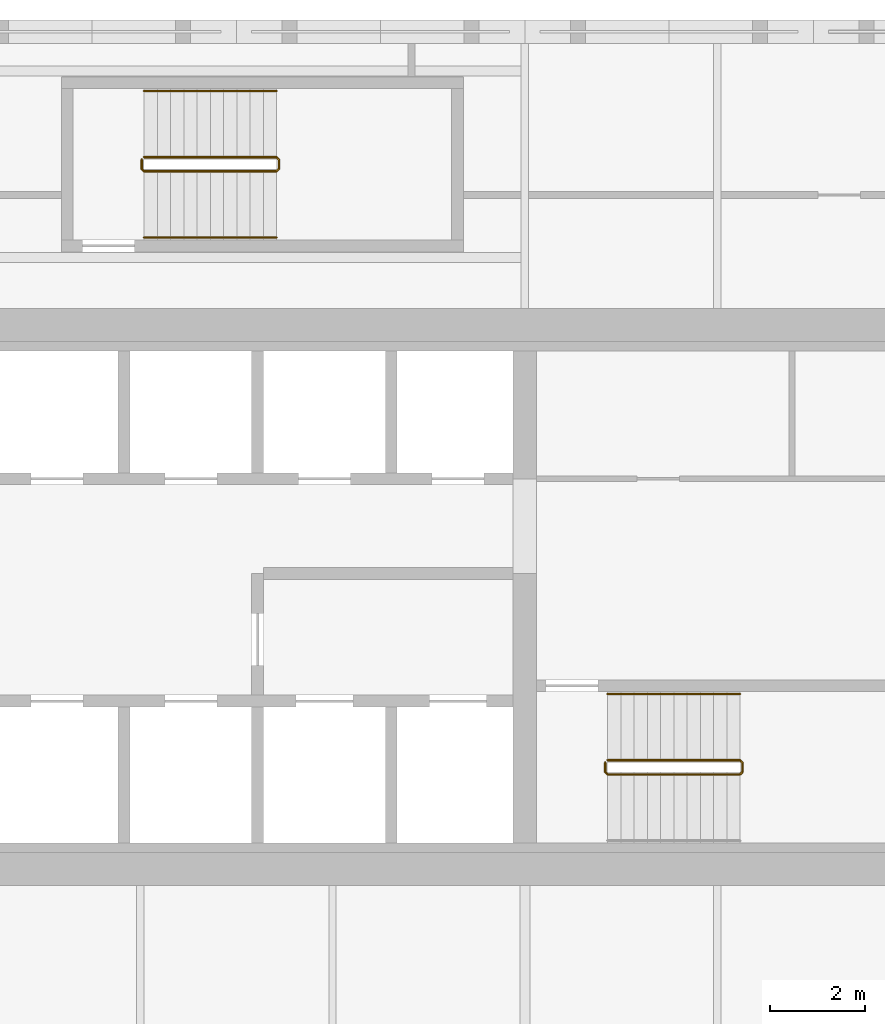
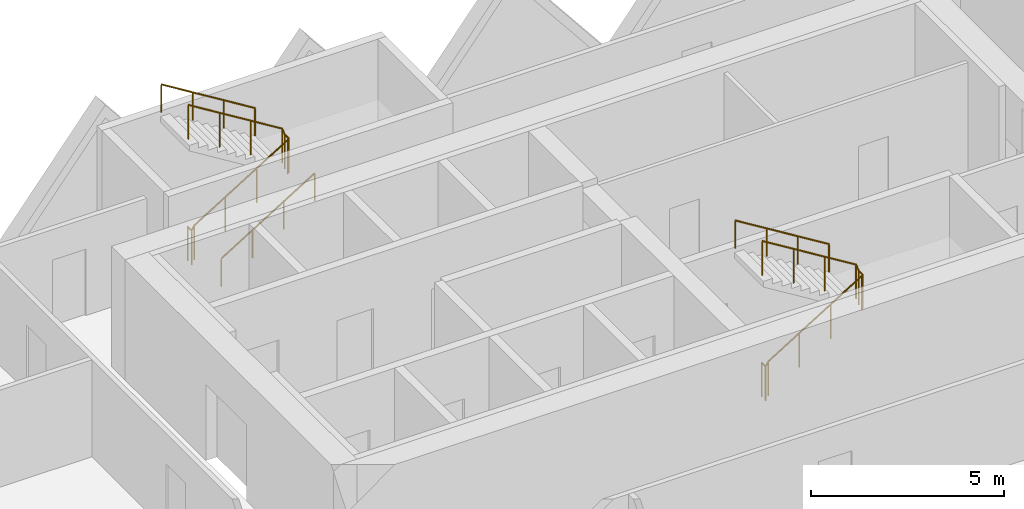
# One storey, part 18 of 18: 5 railings.
"""IFC4 building model written with IfcOpenShell, lengths in metres."""

from ifc_helpers import new_model, si_unit, direction, frame, origin, origin_2d, place, context, subcontext, project, spatial, circle, extrude, material, type_object, element, save


model = new_model("IFC4")

# Units and contexts
model_context = context("Model", 3, precision=1e-05, world=origin(), true_north=direction((0.0, 1.0)))
body_context = subcontext(model_context, "Body", "Model", "MODEL_VIEW")
ifc_project = project(units=[si_unit("LENGTHUNIT", "METRE"), si_unit("AREAUNIT", "SQUARE_METRE"), si_unit("VOLUMEUNIT", "CUBIC_METRE"), si_unit("PLANEANGLEUNIT", "RADIAN"), si_unit("MASSUNIT", "GRAM", prefix="KILO")], contexts=[model_context])

# Site, building, storey
site_placement = place(None, origin())
site = spatial("IfcSite", under=ifc_project, at=site_placement, CompositionType="ELEMENT")
building_placement = place(site_placement, origin())
building = spatial("IfcBuilding", under=site, at=building_placement, Name="Tessera Gate Towers", CompositionType="ELEMENT")
storey_placement = place(building_placement, frame((0.0, 0.0, 44.800048828125)))
storey = spatial("IfcBuildingStorey", under=building, at=storey_placement, Name="L10", CompositionType="ELEMENT", Elevation=44.800048828125)

# Railings
ifc_material_1 = material(Name="Steel 350W", Category="steel")
railing_type_1 = type_object("IfcRailingType", Name="STAIR GUARD 1100", PredefinedType="GUARDRAIL", material=ifc_material_1)
railing_1_placement = place(storey_placement, frame((111.5, 39.199951171875, 0.0)))
element("IfcRailing", 1, at=railing_1_placement, inside=storey, type_object=railing_type_1, Name="L10 ST6 stair guard 1", PredefinedType="GUARDRAIL", context=body_context, shape_type="SweptSolid", body=[
    extrude(circle(Radius=0.02392578125, at=origin_2d()), frame((0.0, 0.0, 1.076171875), z_axis=(0.0, -1.0, 0.0), x_axis=(1.0, 0.0, 0.0)), (0.0, 0.0, 1.0), 0.199951171875),
    extrude(circle(Radius=0.02392578125, at=origin_2d()), frame((0.0, -0.199951171875, 1.076171875), z_axis=(0.268277960024, -0.268277960024, 0.925231793839), x_axis=(0.707106781187, 0.707106781187, 0.0)), (0.0, 0.0, 1.0), 0.1865234375),
    extrude(circle(Radius=0.02392578125, at=origin_2d()), frame((0.050048828125, -0.25, 1.24853515625), z_axis=(0.851089632645, 0.0, 0.525020415988), x_axis=(0.0, 1.0, 0.0)), (0.0, 0.0, 1.0), 3.2900390625),
    extrude(circle(Radius=0.02392578125, at=origin_2d()), frame((2.85009765625, -0.25, 2.97607421875), z_axis=(0.705375805398, 0.708833529934, 0.0), x_axis=(-0.708833529934, 0.705375805398, 0.0)), (0.0, 0.0, 1.0), 0.070556640625),
    extrude(circle(Radius=0.02392578125, at=origin_2d()), frame((2.89990234375, -0.199951171875, 2.97607421875), z_axis=(0.0, 1.0, 0.0), x_axis=(-1.0, 0.0, 0.0)), (0.0, 0.0, 1.0), 0.199951171875),
    extrude(circle(Radius=0.02392578125, at=origin_2d()), frame((2.89990234375, 0.0, 2.97607421875), z_axis=(-0.266739603011, 0.268047150085, 0.925743328097), x_axis=(-0.708833529934, -0.705375805398, 0.0)), (0.0, 0.0, 1.0), 0.186767578125),
    extrude(circle(Radius=0.02392578125, at=origin_2d()), frame((2.85009765625, 0.050048828125, 3.14892578125), z_axis=(-0.851089632645, 0.0, 0.525020415988), x_axis=(0.0, -1.0, 0.0)), (0.0, 0.0, 1.0), 3.2900390625),
    extrude(circle(Radius=0.02099609375, at=origin_2d()), origin(), (0.0, 0.0, 1.0), 1.052001953125),
    extrude(circle(Radius=0.02099609375, at=origin_2d()), frame((0.0, -0.199951171875, 0.0)), (0.0, 0.0, 1.0), 1.052001953125),
    extrude(circle(Radius=0.02099609375, at=origin_2d()), frame((0.050048828125, -0.25, 0.172607421875)), (0.0, 0.0, 1.0), 1.052001953125),
    extrude(circle(Radius=0.02099609375, at=origin_2d()), frame((0.9833984375, -0.25, 0.748291015625)), (0.0, 0.0, 1.0), 1.052001953125),
    extrude(circle(Radius=0.02099609375, at=origin_2d()), frame((1.916748046875, -0.25, 1.32421875)), (0.0, 0.0, 1.0), 1.052001953125),
    extrude(circle(Radius=0.02099609375, at=origin_2d()), frame((2.85009765625, -0.25, 1.89990234375)), (0.0, 0.0, 1.0), 1.052001953125),
    extrude(circle(Radius=0.02099609375, at=origin_2d()), frame((2.89990234375, -0.199951171875, 1.89990234375)), (0.0, 0.0, 1.0), 1.052001953125),
    extrude(circle(Radius=0.02099609375, at=origin_2d()), frame((2.89990234375, 0.0, 1.89990234375)), (0.0, 0.0, 1.0), 1.052001953125),
    extrude(circle(Radius=0.02099609375, at=origin_2d()), frame((2.85009765625, 0.050048828125, 2.07275390625)), (0.0, 0.0, 1.0), 1.052001953125),
    extrude(circle(Radius=0.02099609375, at=origin_2d()), frame((1.916748046875, 0.050048828125, 2.6484375)), (0.0, 0.0, 1.0), 1.052001953125),
    extrude(circle(Radius=0.02099609375, at=origin_2d()), frame((0.9833984375, 0.050048828125, 3.224365234375)), (0.0, 0.0, 1.0), 1.052001953125),
    extrude(circle(Radius=0.02099609375, at=origin_2d()), frame((0.050048828125, 0.050048828125, 3.800048828125)), (0.0, 0.0, 1.0), 1.052001953125),
])
railing_2_placement = place(storey_placement, frame((101.699951171875, 51.949951171875, 0.0)))
element("IfcRailing", 2, at=railing_2_placement, inside=storey, type_object=railing_type_1, Name="L10 ST7 stair guard 1", PredefinedType="GUARDRAIL", context=body_context, shape_type="SweptSolid", body=[
    extrude(circle(Radius=0.02392578125, at=origin_2d()), frame((0.0, 0.0, 1.076171875), z_axis=(0.0, -1.0, 0.0), x_axis=(1.0, 0.0, 0.0)), (0.0, 0.0, 1.0), 0.199951171875),
    extrude(circle(Radius=0.02392578125, at=origin_2d()), frame((0.0, -0.199951171875, 1.076171875), z_axis=(0.268277960024, -0.268277960024, 0.925231793839), x_axis=(0.707106781187, 0.707106781187, 0.0)), (0.0, 0.0, 1.0), 0.1865234375),
    extrude(circle(Radius=0.02392578125, at=origin_2d()), frame((0.050048828125, -0.25, 1.24853515625), z_axis=(0.851089632645, 0.0, 0.525020415988), x_axis=(0.0, 1.0, 0.0)), (0.0, 0.0, 1.0), 3.2900390625),
    extrude(circle(Radius=0.02392578125, at=origin_2d()), frame((2.85009765625, -0.25, 2.97607421875), z_axis=(0.707106781187, 0.707106781187, 0.0), x_axis=(-0.707106781187, 0.707106781187, 0.0)), (0.0, 0.0, 1.0), 0.07080078125),
    extrude(circle(Radius=0.02392578125, at=origin_2d()), frame((2.900146484375, -0.199951171875, 2.97607421875), z_axis=(0.0, 1.0, 0.0), x_axis=(-1.0, 0.0, 0.0)), (0.0, 0.0, 1.0), 0.199951171875),
    extrude(circle(Radius=0.02392578125, at=origin_2d()), frame((2.900146484375, 0.0, 2.97607421875), z_axis=(-0.267953482034, 0.267953482034, 0.925419830635), x_axis=(-0.707106781187, -0.707106781187, 0.0)), (0.0, 0.0, 1.0), 0.186767578125),
    extrude(circle(Radius=0.02392578125, at=origin_2d()), frame((2.85009765625, 0.050048828125, 3.14892578125), z_axis=(-0.851089632645, 0.0, 0.525020415988), x_axis=(0.0, -1.0, 0.0)), (0.0, 0.0, 1.0), 3.2900390625),
    extrude(circle(Radius=0.02099609375, at=origin_2d()), origin(), (0.0, 0.0, 1.0), 1.052001953125),
    extrude(circle(Radius=0.02099609375, at=origin_2d()), frame((0.0, -0.199951171875, 0.0)), (0.0, 0.0, 1.0), 1.052001953125),
    extrude(circle(Radius=0.02099609375, at=origin_2d()), frame((0.050048828125, -0.25, 0.172607421875)), (0.0, 0.0, 1.0), 1.052001953125),
    extrude(circle(Radius=0.02099609375, at=origin_2d()), frame((0.9833984375, -0.25, 0.748291015625)), (0.0, 0.0, 1.0), 1.052001953125),
    extrude(circle(Radius=0.02099609375, at=origin_2d()), frame((1.916748046875, -0.25, 1.32421875)), (0.0, 0.0, 1.0), 1.052001953125),
    extrude(circle(Radius=0.02099609375, at=origin_2d()), frame((2.85009765625, -0.25, 1.89990234375)), (0.0, 0.0, 1.0), 1.052001953125),
    extrude(circle(Radius=0.02099609375, at=origin_2d()), frame((2.900146484375, -0.199951171875, 1.89990234375)), (0.0, 0.0, 1.0), 1.052001953125),
    extrude(circle(Radius=0.02099609375, at=origin_2d()), frame((2.900146484375, 0.0, 1.89990234375)), (0.0, 0.0, 1.0), 1.052001953125),
    extrude(circle(Radius=0.02099609375, at=origin_2d()), frame((2.85009765625, 0.050048828125, 2.07275390625)), (0.0, 0.0, 1.0), 1.052001953125),
    extrude(circle(Radius=0.02099609375, at=origin_2d()), frame((1.916748046875, 0.050048828125, 2.6484375)), (0.0, 0.0, 1.0), 1.052001953125),
    extrude(circle(Radius=0.02099609375, at=origin_2d()), frame((0.9833984375, 0.050048828125, 3.224365234375)), (0.0, 0.0, 1.0), 1.052001953125),
    extrude(circle(Radius=0.02099609375, at=origin_2d()), frame((0.050048828125, 0.050048828125, 3.800048828125)), (0.0, 0.0, 1.0), 1.052001953125),
])
ifc_material_2 = material(Name="Steel 350W", Category="steel")
railing_type_2 = type_object("IfcRailingType", Name="STAIR HANDRAIL 900", PredefinedType="HANDRAIL", material=ifc_material_2)
railing_3_placement = place(storey_placement, frame((114.35009765625, 40.64990234375, 2.07275390625)))
element("IfcRailing", 3, at=railing_3_placement, inside=storey, type_object=railing_type_2, Name="L10 ST6 stair handrail 2", PredefinedType="HANDRAIL", context=body_context, shape_type="SweptSolid", body=[
    extrude(circle(Radius=0.02392578125, at=origin_2d()), frame((0.0, 0.0, 0.8759765625), z_axis=(-0.851089632645, 0.0, 0.525020415988), x_axis=(0.0, -1.0, 0.0)), (0.0, 0.0, 1.0), 3.2900390625),
    extrude(circle(Radius=0.02099609375, at=origin_2d()), origin(), (0.0, 0.0, 1.0), 0.851806640625),
    extrude(circle(Radius=0.02099609375, at=origin_2d()), frame((-0.933349609375, 0.0, 0.57568359375)), (0.0, 0.0, 1.0), 0.851806640625),
    extrude(circle(Radius=0.02099609375, at=origin_2d()), frame((-1.86669921875, 0.0, 1.151611328125)), (0.0, 0.0, 1.0), 0.851806640625),
    extrude(circle(Radius=0.02099609375, at=origin_2d()), frame((-2.800048828125, 0.0, 1.727294921875)), (0.0, 0.0, 1.0), 0.851806640625),
])
railing_4_placement = place(storey_placement, frame((101.75, 50.300048828125, 0.172607421875)))
element("IfcRailing", 4, at=railing_4_placement, inside=storey, type_object=railing_type_2, Name="L10 ST7 stair handrail 1", PredefinedType="HANDRAIL", context=body_context, shape_type="SweptSolid", body=[
    extrude(circle(Radius=0.02392578125, at=origin_2d()), frame((0.0, 0.0, 0.8759765625), z_axis=(0.851089632645, 0.0, 0.525020415988), x_axis=(0.0, 1.0, 0.0)), (0.0, 0.0, 1.0), 3.2900390625),
    extrude(circle(Radius=0.02099609375, at=origin_2d()), origin(), (0.0, 0.0, 1.0), 0.851806640625),
    extrude(circle(Radius=0.02099609375, at=origin_2d()), frame((0.933349609375, 0.0, 0.57568359375)), (0.0, 0.0, 1.0), 0.851806640625),
    extrude(circle(Radius=0.02099609375, at=origin_2d()), frame((1.86669921875, 0.0, 1.151611328125)), (0.0, 0.0, 1.0), 0.851806640625),
    extrude(circle(Radius=0.02099609375, at=origin_2d()), frame((2.800048828125, 0.0, 1.727294921875)), (0.0, 0.0, 1.0), 0.851806640625),
])
railing_5_placement = place(storey_placement, frame((104.550048828125, 53.39990234375, 2.07275390625)))
element("IfcRailing", 5, at=railing_5_placement, inside=storey, type_object=railing_type_2, Name="L10 ST7 stair handrail 2", PredefinedType="HANDRAIL", context=body_context, shape_type="SweptSolid", body=[
    extrude(circle(Radius=0.02392578125, at=origin_2d()), frame((0.0, 0.0, 0.8759765625), z_axis=(-0.851089632645, 0.0, 0.525020415988), x_axis=(0.0, -1.0, 0.0)), (0.0, 0.0, 1.0), 3.2900390625),
    extrude(circle(Radius=0.02099609375, at=origin_2d()), origin(), (0.0, 0.0, 1.0), 0.851806640625),
    extrude(circle(Radius=0.02099609375, at=origin_2d()), frame((-0.933349609375, 0.0, 0.57568359375)), (0.0, 0.0, 1.0), 0.851806640625),
    extrude(circle(Radius=0.02099609375, at=origin_2d()), frame((-1.86669921875, 0.0, 1.151611328125)), (0.0, 0.0, 1.0), 0.851806640625),
    extrude(circle(Radius=0.02099609375, at=origin_2d()), frame((-2.800048828125, 0.0, 1.727294921875)), (0.0, 0.0, 1.0), 0.851806640625),
])

save(model, "model.ifc")
